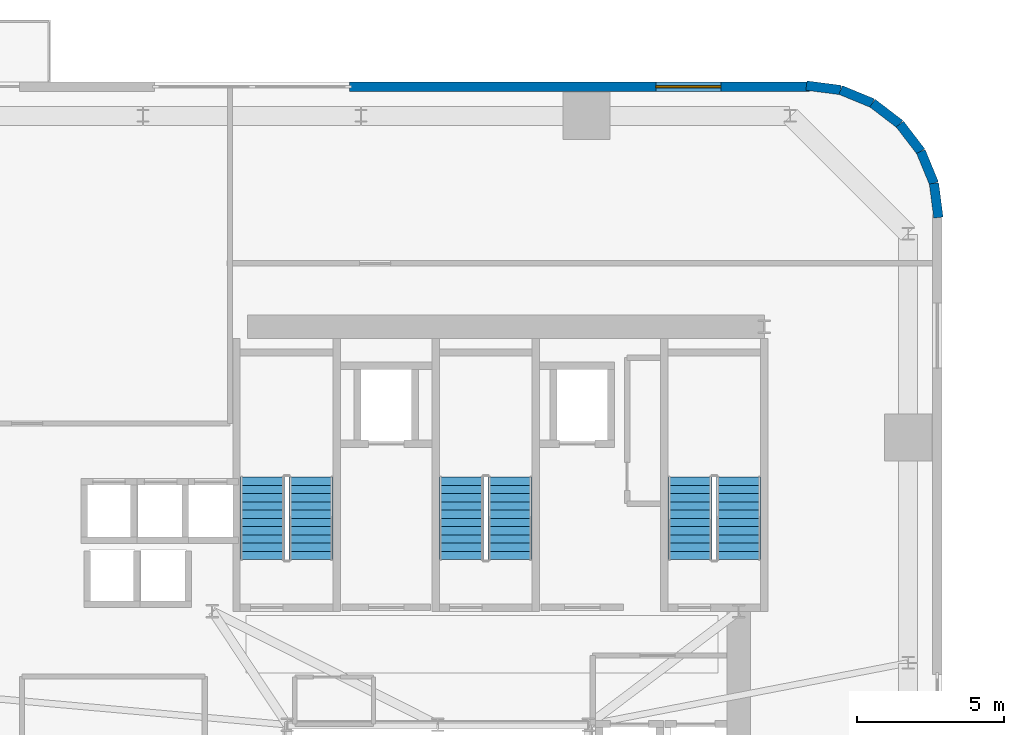
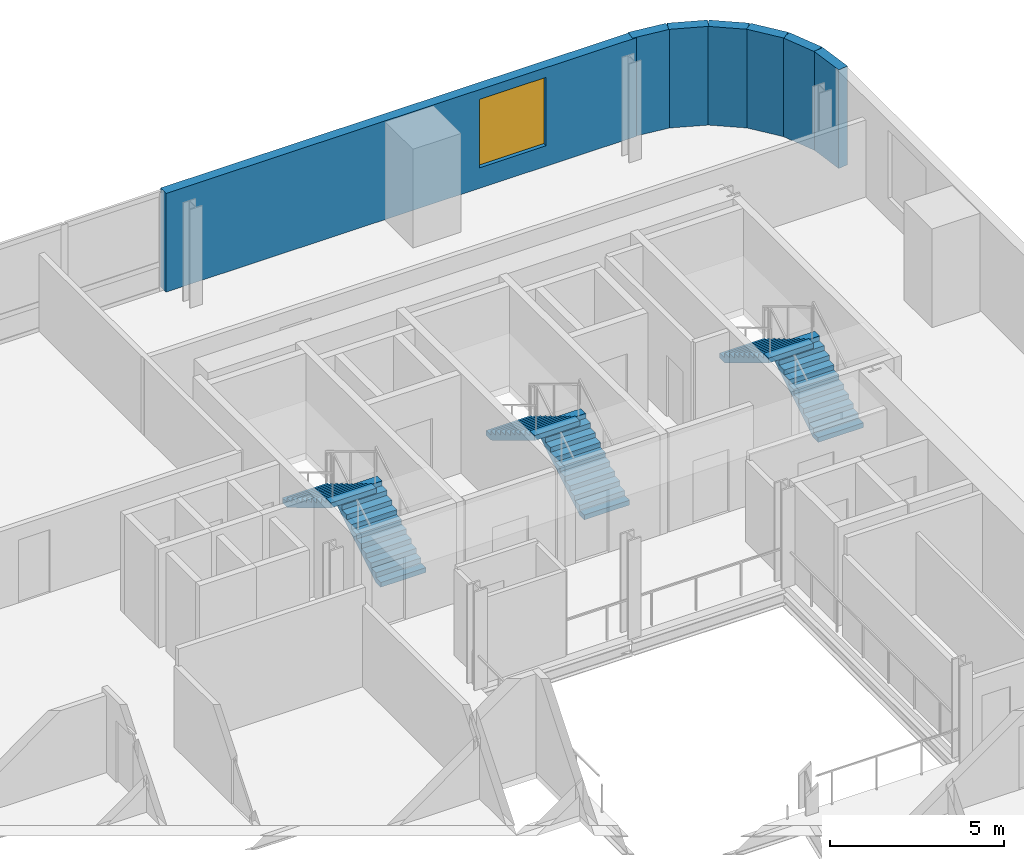
# One storey, part 9 of 14: 7 walls, 6 stair flights, 1 window, 1 opening, 3 elements without a shape of their own.
"""IFC4 building model written with IfcOpenShell, lengths in metres."""

from ifc_helpers import new_model, si_unit, direction, frame, frame_2d, origin, place, context, subcontext, project, spatial, polyline, rectangle, outline, extrude, source, transform, mapped, material, layer, layer_set, type_object, element, fill, aggregate, save


model = new_model("IFC4")

# Units and contexts
model_context = context("Model", 3, precision=1e-05, world=origin(), true_north=direction((0.0, 1.0)))
body_context = subcontext(model_context, "Body", "Model", "MODEL_VIEW")
ifc_project = project(units=[si_unit("LENGTHUNIT", "METRE"), si_unit("AREAUNIT", "SQUARE_METRE"), si_unit("VOLUMEUNIT", "CUBIC_METRE"), si_unit("PLANEANGLEUNIT", "RADIAN"), si_unit("MASSUNIT", "GRAM", prefix="KILO")], contexts=[model_context])

# Site, building, storey
site_placement = place(None, origin())
site = spatial("IfcSite", under=ifc_project, at=site_placement, CompositionType="ELEMENT")
building_placement = place(site_placement, origin())
building = spatial("IfcBuilding", under=site, at=building_placement, Name="Vardaveli Station Tower", CompositionType="ELEMENT")
storey_placement = place(building_placement, frame((0.0, 0.0, 144.60009765625)))
storey = spatial("IfcBuildingStorey", under=building, at=storey_placement, Name="L37", CompositionType="ELEMENT", Elevation=144.60009765625)

# Wall, opening, window
ifc_material_1 = material(Name="Precast concrete C45/55", Category="concrete")
ifc_layer = layer(ifc_material_1, 0.320068359375, Name="Precast concrete C45/55")
ifc_layer_set = layer_set([ifc_layer], Name="Precast concrete C45/55")
wall_type = type_object("IfcWallType", Name="WAL-EXT-STONE-320", PredefinedType="SOLIDWALL", material=ifc_layer_set)
shared_shape_1 = source(origin(), body_context, "Body", "SweptSolid", [
    extrude(rectangle(XDim=15.599853515625, YDim=0.320068359375, at=frame_2d((7.7998046875, 0.0))), origin(), (0.0, 0.0, 1.0), 3.4599609375),
])
wall_1_placement = place(storey_placement, frame((48.89990234375, 48.43994140625, 0.0), z_axis=(0.0, 0.0, 1.0), x_axis=(-1.0, 0.0, 0.0)))
wall_1 = element("IfcWall", 1, at=wall_1_placement, inside=storey, type_object=wall_type, Name="EW-L37-N1", PredefinedType="SOLIDWALL", context=body_context, shape_type="MappedRepresentation", body=[
    mapped(shared_shape_1, transform((0.0, 0.0, 0.0), scale=1.0)),
])
shared_shape_2 = source(origin(), body_context, "Body", "SweptSolid", [
    extrude(rectangle(XDim=2.199951171875, YDim=2.39990234375, at=frame_2d((1.10009765625, 1.199951171875))), frame((0.0, 0.169921875, 0.0), z_axis=(0.0, -1.0, 0.0), x_axis=(1.0, 0.0, 0.0)), (0.0, 0.0, 1.0), 0.340087890625),
])
opening_placement = place(wall_1_placement, frame((3.0048828125, 0.0, 0.719970703125)))
opening = element("IfcOpeningElement", 2, at=opening_placement, cuts=wall_1, Name="Opening W-03", PredefinedType="OPENING", context=body_context, shape_type="MappedRepresentation", body=[
    mapped(shared_shape_2, transform((0.0, 0.0, 0.0), scale=1.0)),
])
ifc_material_2 = material(Name="Low-E solar-control glass", Category="glass")
window_type = type_object("IfcWindowType", Name="WIN-LOG-2200x2400", PartitioningType="SINGLE_PANEL", PredefinedType="WINDOW", material=ifc_material_2)
shared_shape_3 = source(origin(), body_context, "Body", "SweptSolid", [
    extrude(rectangle(XDim=2.199951171875, YDim=2.39990234375, at=frame_2d((1.10009765625, 1.199951171875))), frame((0.0, 0.030029296875, 0.0), z_axis=(0.0, -1.0, 0.0), x_axis=(1.0, 0.0, 0.0)), (0.0, 0.0, 1.0), 0.06005859375),
])
window_placement = place(opening_placement, origin())
window = element("IfcWindow", 3, at=window_placement, inside=storey, type_object=window_type, Name="WN-L37-N1", OverallHeight=2.39990234375, OverallWidth=2.199951171875, PartitioningType="SINGLE_PANEL", PredefinedType="WINDOW", context=body_context, shape_type="MappedRepresentation", body=[
    mapped(shared_shape_3, transform((0.0, 0.0, 0.0), scale=1.0)),
])
fill(opening, window)

# Walls
shared_shape_4 = source(origin(), body_context, "Body", "SweptSolid", [
    extrude(rectangle(XDim=1.1689453125, YDim=0.320068359375, at=frame_2d((0.58447265625, 0.0))), origin(), (0.0, 0.0, 1.0), 3.4599609375),
])
wall_2_placement = place(storey_placement, frame((52.679931640625, 46.2412109375, 0.0), z_axis=(0.0, 0.0, 1.0), x_axis=(-0.608387696831, 0.793639975269, 0.0)))
element("IfcWall", 4, at=wall_2_placement, inside=storey, type_object=wall_type, Name="EW-L37-CR3-3", PredefinedType="SOLIDWALL", context=body_context, shape_type="MappedRepresentation", body=[
    mapped(shared_shape_4, transform((0.0, 0.0, 0.0), scale=1.0)),
])
shared_shape_5 = source(origin(), body_context, "Body", "SweptSolid", [
    extrude(rectangle(XDim=1.168701171875, YDim=0.320068359375, at=frame_2d((0.58447265625, 0.0))), origin(), (0.0, 0.0, 1.0), 3.4599609375),
])
wall_3_placement = place(storey_placement, frame((51.96875, 47.1689453125, 0.0), z_axis=(0.0, 0.0, 1.0), x_axis=(-0.793663520347, 0.608356981114, 0.0)))
element("IfcWall", 5, at=wall_3_placement, inside=storey, type_object=wall_type, Name="EW-L37-CR3-4", PredefinedType="SOLIDWALL", context=body_context, shape_type="MappedRepresentation", body=[
    mapped(shared_shape_5, transform((0.0, 0.0, 0.0), scale=1.0)),
])
shared_shape_6 = source(origin(), body_context, "Body", "SweptSolid", [
    extrude(rectangle(XDim=1.17041015625, YDim=0.320068359375, at=frame_2d((0.585205078125, 0.0))), origin(), (0.0, 0.0, 1.0), 3.4599609375),
])
for number, where, z_axis, x_axis, name in (
    (6, (53.275634765625, 43.99951171875, 0.0), (0.0, 0.0, 1.0), (-0.128295670475, 0.991735963317, 0.0), "EW-L37-CR3-1"),
    (7, (49.960205078125, 48.325439453125, 0.0), (0.0, 0.0, 1.0), (-0.991735963317, 0.128295670475, 0.0), "EW-L37-CR3-6"),
):
    element("IfcWall", number, at=place(storey_placement, frame(where, z_axis=z_axis, x_axis=x_axis)), inside=storey, type_object=wall_type, Name=name, PredefinedType="SOLIDWALL", context=body_context, shape_type="MappedRepresentation", body=[
        mapped(shared_shape_6, transform((0.0, 0.0, 0.0), scale=1.0)),
    ])
shared_shape_7 = source(origin(), body_context, "Body", "SweptSolid", [
    extrude(rectangle(XDim=1.169189453125, YDim=0.320068359375, at=frame_2d((0.58447265625, 0.0))), origin(), (0.0, 0.0, 1.0), 3.4599609375),
])
for number, where, z_axis, x_axis, name in (
    (8, (53.12548828125, 45.16015625, 0.0), (0.0, 0.0, 1.0), (-0.381054331552, 0.924552646638, 0.0), "EW-L37-CR3-2"),
    (9, (51.041259765625, 47.8798828125, 0.0), (0.0, 0.0, 1.0), (-0.924552646638, 0.381054331552, 0.0), "EW-L37-CR3-5"),
):
    element("IfcWall", number, at=place(storey_placement, frame(where, z_axis=z_axis, x_axis=x_axis)), inside=storey, type_object=wall_type, Name=name, PredefinedType="SOLIDWALL", context=body_context, shape_type="MappedRepresentation", body=[
        mapped(shared_shape_7, transform((0.0, 0.0, 0.0), scale=1.0)),
    ])

# Stair, stair flights
ifc_material_3 = material(Name="Concrete C40/50", Category="concrete")
stair_type = type_object("IfcStairType", Name="STR-CORE-1500", PredefinedType="HALF_TURN_STAIR", material=ifc_material_3)
stair_1_placement = place(storey_placement, origin())
stair_1 = element("IfcStair", 10, at=stair_1_placement, inside=storey, type_object=stair_type, Name="L37 ST-1", PredefinedType="HALF_TURN_STAIR")
stair_flight_type = type_object("IfcStairFlightType", Name="SFL-CORE-1500", PredefinedType="STRAIGHT", material=ifc_material_3)
shared_shape_8 = source(origin(), body_context, "Body", "SweptSolid", [
    extrude(outline(polyline([(0.0, 0.0), (0.0, 0.168212890625), (0.280029296875, 0.168212890625), (0.280029296875, 0.33642578125), (0.56005859375, 0.33642578125), (0.56005859375, 0.504638671875), (0.840087890625, 0.504638671875), (0.840087890625, 0.672607421875), (1.1201171875, 0.672607421875), (1.1201171875, 0.8408203125), (1.39990234375, 0.8408203125), (1.39990234375, 1.009033203125), (1.679931640625, 1.009033203125), (1.679931640625, 1.17724609375), (1.9599609375, 1.17724609375), (1.9599609375, 1.345458984375), (2.239990234375, 1.345458984375), (2.239990234375, 1.513671875), (2.52001953125, 1.513671875), (2.52001953125, 1.681884765625), (2.800048828125, 1.681884765625), (2.800048828125, 1.85009765625), (2.800048828125, 1.5068359375), (0.291015625, 0.0), (0.0, 0.0)])), frame((0.0, 0.75, 0.0), z_axis=(0.0, -1.0, 0.0), x_axis=(1.0, 0.0, 0.0)), (0.0, 0.0, 1.0), 1.5),
])
stair_flight_1_placement = place(storey_placement, frame((32.0, 32.39990234375, 0.0), z_axis=(0.0, 0.0, 1.0), x_axis=(0.0, 1.0, 0.0)))
stair_flight_1 = element("IfcStairFlight", 11, at=stair_flight_1_placement, type_object=stair_flight_type, Name="ST-1 flight 1", NumberOfRisers=11, NumberOfTreads=10, PredefinedType="STRAIGHT", RiserHeight=0.168181818, TreadLength=0.28, context=body_context, shape_type="MappedRepresentation", body=[
    mapped(shared_shape_8, transform((0.0, 0.0, 0.0), scale=1.0)),
])
stair_flight_2_placement = place(storey_placement, frame((30.35009765625, 35.199951171875, 1.849853515625), z_axis=(0.0, 0.0, 1.0), x_axis=(0.0, -1.0, 0.0)))
stair_flight_2 = element("IfcStairFlight", 12, at=stair_flight_2_placement, type_object=stair_flight_type, Name="ST-1 flight 2", NumberOfRisers=11, NumberOfTreads=10, PredefinedType="STRAIGHT", RiserHeight=0.168181818, TreadLength=0.28, context=body_context, shape_type="MappedRepresentation", body=[
    mapped(shared_shape_8, transform((0.0, 0.0, 0.0), scale=1.0)),
])
aggregate(stair_1, [stair_flight_1, stair_flight_2])

stair_2_placement = place(storey_placement, origin())
stair_2 = element("IfcStair", 13, at=stair_2_placement, inside=storey, type_object=stair_type, Name="L37 ST-2", PredefinedType="HALF_TURN_STAIR")
stair_flight_3_placement = place(storey_placement, frame((38.75, 32.39990234375, 0.0), z_axis=(0.0, 0.0, 1.0), x_axis=(0.0, 1.0, 0.0)))
stair_flight_3 = element("IfcStairFlight", 14, at=stair_flight_3_placement, type_object=stair_flight_type, Name="ST-2 flight 1", NumberOfRisers=11, NumberOfTreads=10, PredefinedType="STRAIGHT", RiserHeight=0.168181818, TreadLength=0.28, context=body_context, shape_type="MappedRepresentation", body=[
    mapped(shared_shape_8, transform((0.0, 0.0, 0.0), scale=1.0)),
])
stair_flight_4_placement = place(storey_placement, frame((37.10009765625, 35.199951171875, 1.849853515625), z_axis=(0.0, 0.0, 1.0), x_axis=(0.0, -1.0, 0.0)))
stair_flight_4 = element("IfcStairFlight", 15, at=stair_flight_4_placement, type_object=stair_flight_type, Name="ST-2 flight 2", NumberOfRisers=11, NumberOfTreads=10, PredefinedType="STRAIGHT", RiserHeight=0.168181818, TreadLength=0.28, context=body_context, shape_type="MappedRepresentation", body=[
    mapped(shared_shape_8, transform((0.0, 0.0, 0.0), scale=1.0)),
])
aggregate(stair_2, [stair_flight_3, stair_flight_4])

stair_3_placement = place(storey_placement, origin())
stair_3 = element("IfcStair", 16, at=stair_3_placement, inside=storey, type_object=stair_type, Name="L37 ST-3", PredefinedType="HALF_TURN_STAIR")
stair_flight_5_placement = place(storey_placement, frame((46.5, 32.39990234375, 0.0), z_axis=(0.0, 0.0, 1.0), x_axis=(0.0, 1.0, 0.0)))
stair_flight_5 = element("IfcStairFlight", 17, at=stair_flight_5_placement, type_object=stair_flight_type, Name="ST-3 flight 1", NumberOfRisers=11, NumberOfTreads=10, PredefinedType="STRAIGHT", RiserHeight=0.168181818, TreadLength=0.28, context=body_context, shape_type="MappedRepresentation", body=[
    mapped(shared_shape_8, transform((0.0, 0.0, 0.0), scale=1.0)),
])
stair_flight_6_placement = place(storey_placement, frame((44.85009765625, 35.199951171875, 1.849853515625), z_axis=(0.0, 0.0, 1.0), x_axis=(0.0, -1.0, 0.0)))
stair_flight_6 = element("IfcStairFlight", 18, at=stair_flight_6_placement, type_object=stair_flight_type, Name="ST-3 flight 2", NumberOfRisers=11, NumberOfTreads=10, PredefinedType="STRAIGHT", RiserHeight=0.168181818, TreadLength=0.28, context=body_context, shape_type="MappedRepresentation", body=[
    mapped(shared_shape_8, transform((0.0, 0.0, 0.0), scale=1.0)),
])
aggregate(stair_3, [stair_flight_5, stair_flight_6])

save(model, "model.ifc")
